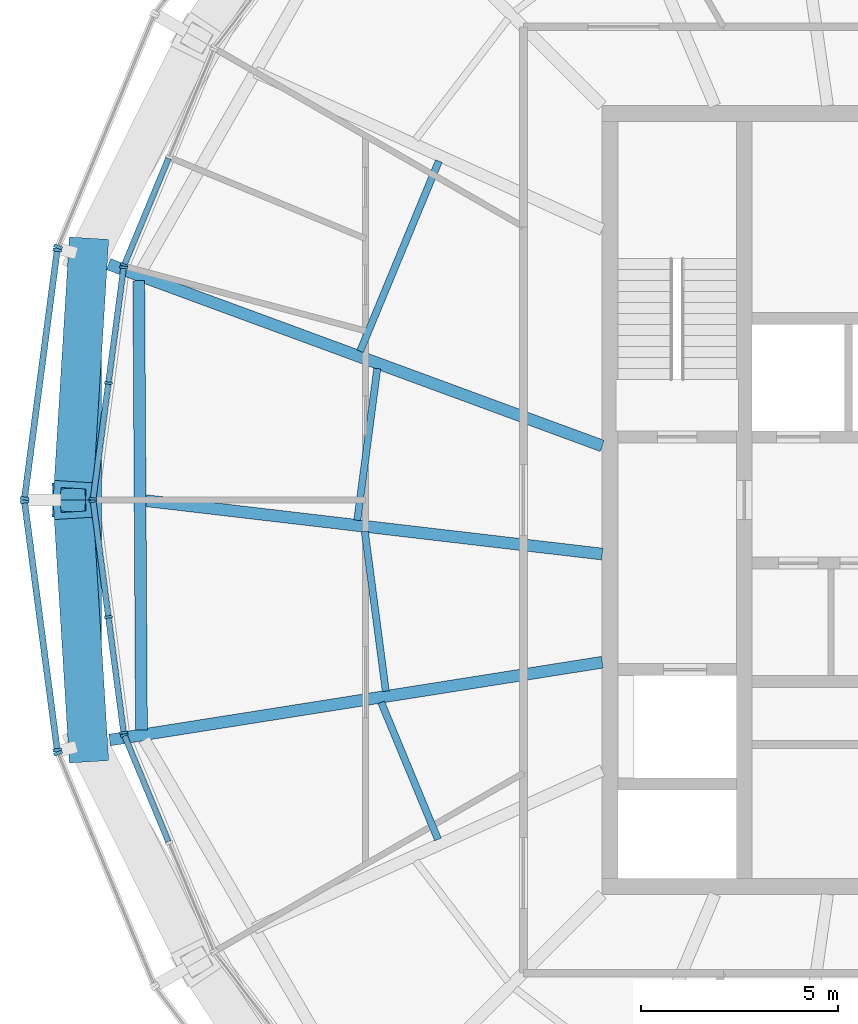
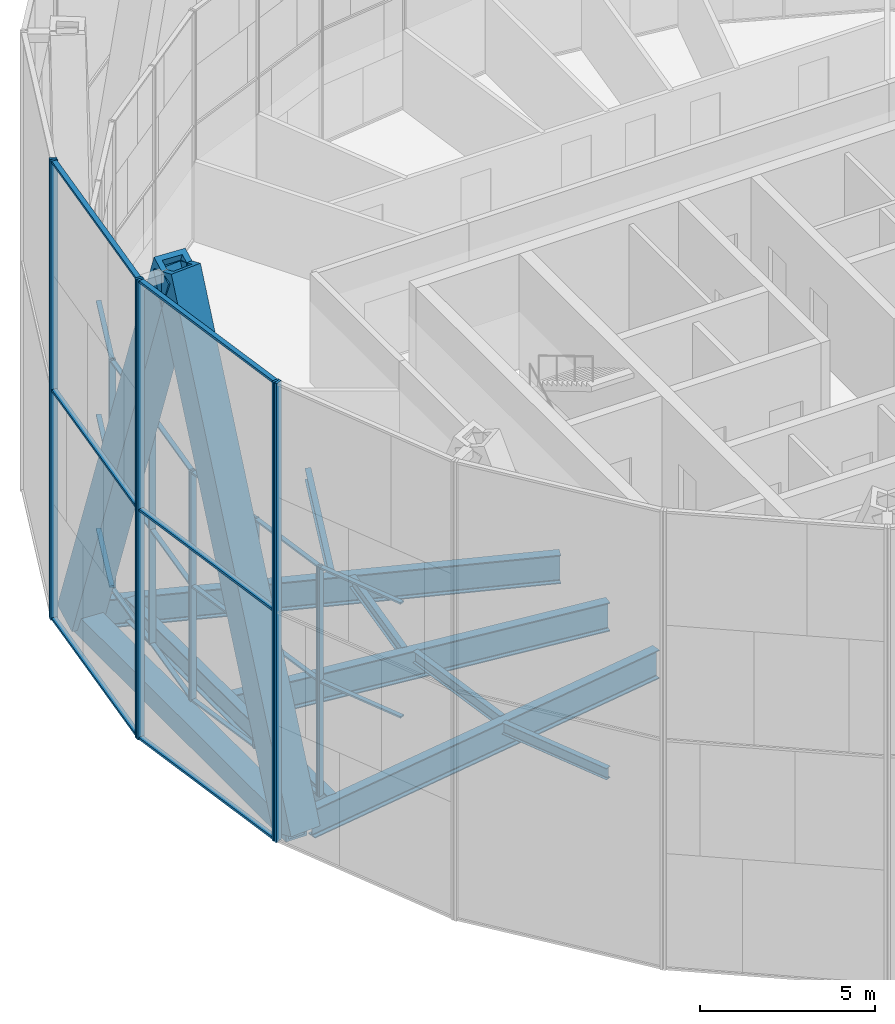
# One storey, part 3 of 23: 39 members, 9 beams, 8 elements without a shape of their own.
"""IFC4 building model written with IfcOpenShell, lengths in metres."""

from ifc_helpers import new_model, si_unit, direction, frame, origin, origin_2d, place, context, subcontext, project, spatial, rectangle, hollow_rectangle, i_section, extrude, material, material_profile, profile_set, type_object, element, aggregate, save


model = new_model("IFC4")

# Units and contexts
model_context = context("Model", 3, precision=1e-05, world=origin(), true_north=direction((0.0, 1.0)))
body_context = subcontext(model_context, "Body", "Model", "MODEL_VIEW")
ifc_project = project(units=[si_unit("LENGTHUNIT", "METRE"), si_unit("AREAUNIT", "SQUARE_METRE"), si_unit("VOLUMEUNIT", "CUBIC_METRE"), si_unit("PLANEANGLEUNIT", "RADIAN"), si_unit("MASSUNIT", "GRAM", prefix="KILO")], contexts=[model_context])

# Site, building, storey
site_placement = place(None, origin())
site = spatial("IfcSite", under=ifc_project, at=site_placement, CompositionType="ELEMENT")
building_placement = place(site_placement, origin())
building = spatial("IfcBuilding", under=site, at=building_placement, Name="Golbaran Civic Tower", CompositionType="ELEMENT")
storey_placement = place(building_placement, frame((0.0, 0.0, 232.0)))
storey = spatial("IfcBuildingStorey", under=building, at=storey_placement, Name="L56", CompositionType="ELEMENT", Elevation=232.0)

# Members
ifc_material_1 = material(Name="Steel S355", Category="steel")
ifc_material_profile_1 = material_profile(ifc_material_1, hollow_rectangle(XDim=1.0, YDim=1.0, WallThickness=0.179931640625, at=origin_2d()), Name="BOX 1000x1000x180")
ifc_profile_set_1 = profile_set([ifc_material_profile_1], Name="Steel S355")
member_type_1 = type_object("IfcMemberType", Name="DIAGRID DIAGONAL BOX 1000x1000x180", PredefinedType="BRACE", material=ifc_profile_set_1)
for number, where, z_axis, x_axis, name in (
    (1, (-23.042236328125, 6.174072265625, -0.7099609375), (-0.022202195339, -0.359917511497, 0.932719919075), (0.998102776097, -0.061569865582, 0.0), "Diagonal D13-05R L56-L60"),
    (2, (-23.042236328125, -6.174072265625, -0.7099609375), (-0.022202195339, 0.359917511497, 0.932719919075), (-0.998102776097, -0.061569865582, 0.0), "Diagonal D13-06L L56-L60"),
):
    element("IfcMember", number, at=place(storey_placement, frame(where, z_axis=z_axis, x_axis=x_axis)), inside=storey, type_object=member_type_1, Name=name, PredefinedType="BRACE", context=body_context, shape_type="SweptSolid", body=[
        extrude(hollow_rectangle(XDim=1.0, YDim=1.0, WallThickness=0.179931640625, at=origin_2d()), origin(), (0.0, 0.0, 1.0), 17.154052734375),
    ])

# Beams
ifc_material_profile_2 = material_profile(ifc_material_1, hollow_rectangle(XDim=0.699951171875, YDim=0.699951171875, WallThickness=0.080078125, at=origin_2d()), Name="BOX 700x700x80")
ifc_profile_set_2 = profile_set([ifc_material_profile_2], Name="Steel S355")
beam_type_1 = type_object("IfcBeamType", Name="DIAGRID RING TIE BOX 700x700x80", PredefinedType="BEAM", material=ifc_profile_set_2)
beam_1_placement = place(storey_placement, frame((-23.042236328125, 6.174072265625, -0.7099609375), z_axis=(0.0, -1.0, 0.0), x_axis=(1.0, 0.0, 0.0)))
element("IfcBeam", 3, at=beam_1_placement, inside=storey, type_object=beam_type_1, Name="Ring tie 165.00 L56", PredefinedType="BEAM", context=body_context, shape_type="SweptSolid", body=[
    extrude(hollow_rectangle(XDim=0.699951171875, YDim=0.699951171875, WallThickness=0.080078125, at=origin_2d()), origin(), (0.0, 0.0, 1.0), 12.34814453125),
])
ifc_material_profile_3 = material_profile(ifc_material_1, i_section(OverallWidth=0.300048828125, OverallDepth=0.800048828125, WebThickness=0.017578125, FlangeThickness=0.032958984375, FilletRadius=0.030029296875, at=origin_2d()), Name="HEB 800")
ifc_profile_set_3 = profile_set([ifc_material_profile_3], Name="Steel S355")
beam_type_2 = type_object("IfcBeamType", Name="EDGE BEAM HEB 800", PredefinedType="BEAM", material=ifc_profile_set_3)
beam_2_placement = place(storey_placement, frame((-21.751953125, 5.560546875, -0.60009765625), z_axis=(0.006002421504, -0.999981985306, 0.0), x_axis=(0.999981985306, 0.006002421504, 0.0)))
element("IfcBeam", 4, at=beam_2_placement, inside=storey, type_object=beam_type_2, Name="Edge beam 165.00 L56", PredefinedType="BEAM", context=body_context, shape_type="SweptSolid", body=[
    extrude(i_section(OverallWidth=0.300048828125, OverallDepth=0.800048828125, WebThickness=0.017578125, FlangeThickness=0.032958984375, FilletRadius=0.030029296875, at=origin_2d()), origin(), (0.0, 0.0, 1.0), 11.388671875),
])
ifc_material_profile_4 = material_profile(ifc_material_1, i_section(OverallWidth=0.179931640625, OverallDepth=0.39990234375, WebThickness=0.008544921875, FlangeThickness=0.013427734375, FilletRadius=0.02099609375, at=origin_2d()), Name="IPE 400")
ifc_profile_set_4 = profile_set([ifc_material_profile_4], Name="Steel S355")
beam_type_3 = type_object("IfcBeamType", Name="FLOOR INFILL BEAM IPE 400", PredefinedType="BEAM", material=ifc_profile_set_4)
beam_3_placement = place(storey_placement, frame((-14.14111328125, 8.59521484375, -0.39990234375), z_axis=(-0.382672489845, -0.923884064976, 0.0), x_axis=(0.923884064976, -0.382672489845, 0.0)))
element("IfcBeam", 5, at=beam_3_placement, inside=storey, type_object=beam_type_3, Name="Infill beam 157.50 L56", PredefinedType="BEAM", context=body_context, shape_type="SweptSolid", body=[
    extrude(i_section(OverallWidth=0.179931640625, OverallDepth=0.39990234375, WebThickness=0.008544921875, FlangeThickness=0.013427734375, FilletRadius=0.02099609375, at=origin_2d()), origin(), (0.0, 0.0, 1.0), 5.221923828125),
])
beam_4_placement = place(storey_placement, frame((-15.7041015625, 3.33349609375, -0.39990234375), z_axis=(-0.130490318339, -0.9914495836, 0.0), x_axis=(0.9914495836, -0.130490318339, 0.0)))
element("IfcBeam", 6, at=beam_4_placement, inside=storey, type_object=beam_type_3, Name="Infill beam 172.50 L56", PredefinedType="BEAM", context=body_context, shape_type="SweptSolid", body=[
    extrude(i_section(OverallWidth=0.179931640625, OverallDepth=0.39990234375, WebThickness=0.008544921875, FlangeThickness=0.013427734375, FilletRadius=0.02099609375, at=origin_2d()), origin(), (0.0, 0.0, 1.0), 3.88037109375),
])
beam_5_placement = place(storey_placement, frame((-16.0205078125, -0.7978515625, -0.39990234375), z_axis=(0.13053951133, -0.991443107789, 0.0), x_axis=(0.991443107789, 0.13053951133, 0.0)))
element("IfcBeam", 7, at=beam_5_placement, inside=storey, type_object=beam_type_3, Name="Infill beam 187.50 L56", PredefinedType="BEAM", context=body_context, shape_type="SweptSolid", body=[
    extrude(i_section(OverallWidth=0.179931640625, OverallDepth=0.39990234375, WebThickness=0.008544921875, FlangeThickness=0.013427734375, FilletRadius=0.02099609375, at=origin_2d()), origin(), (0.0, 0.0, 1.0), 4.08642578125),
])
beam_6_placement = place(storey_placement, frame((-15.604248046875, -5.131103515625, -0.39990234375), z_axis=(0.382684157055, -0.923879232334, 0.0), x_axis=(0.923879232334, 0.382684157055, 0.0)))
element("IfcBeam", 8, at=beam_6_placement, inside=storey, type_object=beam_type_3, Name="Infill beam 202.50 L56", PredefinedType="BEAM", context=body_context, shape_type="SweptSolid", body=[
    extrude(i_section(OverallWidth=0.179931640625, OverallDepth=0.39990234375, WebThickness=0.008544921875, FlangeThickness=0.013427734375, FilletRadius=0.02099609375, at=origin_2d()), origin(), (0.0, 0.0, 1.0), 3.7626953125),
])

# Curtain wall, member
ifc_material_2 = material(Name="Aluminium and glass", Category="aluminium")
curtain_wall_type_1 = type_object("IfcCurtainWallType", Name="INNER SKIN CURTAIN WALL EXECUTIVE", PredefinedType="NOTDEFINED", material=ifc_material_2)
curtain_wall_1_placement = place(storey_placement, origin())
curtain_wall_1 = element("IfcCurtainWall", 9, at=curtain_wall_1_placement, inside=storey, type_object=curtain_wall_type_1, Name="Inner skin L56 facet 11 CW2", ObjectType="INNER SKIN", PredefinedType="USERDEFINED")
ifc_material_3 = material(Name="Aluminium", Category="aluminium")
ifc_material_profile_5 = material_profile(ifc_material_3, rectangle(XDim=0.199951171875, YDim=0.06005859375, at=origin_2d()), Name="INNER SKIN CURTAIN WALL EXECUTIVE MULLION")
ifc_profile_set_5 = profile_set([ifc_material_profile_5], Name="Aluminium")
member_type_2 = type_object("IfcMemberType", Name="INNER SKIN CURTAIN WALL EXECUTIVE MULLION", PredefinedType="MULLION", material=ifc_profile_set_5)
member_1_placement = place(storey_placement, frame((-22.120849609375, 5.9580078125, 0.0), z_axis=(0.0, 0.0, 1.0), x_axis=(0.923879532511, -0.382683432365, 0.0)))
member_1 = element("IfcMember", 10, at=member_1_placement, type_object=member_type_2, Name="CW2 mullion 3", PredefinedType="MULLION", context=body_context, shape_type="SweptSolid", body=[
    extrude(rectangle(XDim=0.199951171875, YDim=0.06005859375, at=origin_2d()), origin(), (0.0, 0.0, 1.0), 8.0),
])

# Curtain wall, members
curtain_wall_2_placement = place(storey_placement, origin())
curtain_wall_2 = element("IfcCurtainWall", 11, at=curtain_wall_2_placement, inside=storey, type_object=curtain_wall_type_1, Name="Inner skin L56 facet 12 CW2", ObjectType="INNER SKIN", PredefinedType="USERDEFINED")
member_2_placement = place(storey_placement, frame((-22.13623046875, 5.900634765625, 0.0), z_axis=(0.0, 0.0, 1.0), x_axis=(0.991444861378, -0.130526192185, 0.0)))
member_2 = element("IfcMember", 12, at=member_2_placement, type_object=member_type_2, Name="CW2 mullion 1", PredefinedType="MULLION", context=body_context, shape_type="SweptSolid", body=[
    extrude(rectangle(XDim=0.199951171875, YDim=0.06005859375, at=origin_2d()), origin(), (0.0, 0.0, 1.0), 8.0),
])
member_3_placement = place(storey_placement, frame((-22.522705078125, 2.965087890625, 0.0), z_axis=(0.0, 0.0, 1.0), x_axis=(0.991444861378, -0.130526192185, 0.0)))
member_3 = element("IfcMember", 13, at=member_3_placement, type_object=member_type_2, Name="CW2 mullion 2", PredefinedType="MULLION", context=body_context, shape_type="SweptSolid", body=[
    extrude(rectangle(XDim=0.199951171875, YDim=0.06005859375, at=origin_2d()), origin(), (0.0, 0.0, 1.0), 8.0),
])
member_4_placement = place(storey_placement, frame((-22.9091796875, 0.02978515625, 0.0), z_axis=(0.0, 0.0, 1.0), x_axis=(0.991444861378, -0.130526192185, 0.0)))
member_4 = element("IfcMember", 14, at=member_4_placement, type_object=member_type_2, Name="CW2 mullion 3", PredefinedType="MULLION", context=body_context, shape_type="SweptSolid", body=[
    extrude(rectangle(XDim=0.199951171875, YDim=0.06005859375, at=origin_2d()), origin(), (0.0, 0.0, 1.0), 8.0),
])

curtain_wall_3_placement = place(storey_placement, origin())
curtain_wall_3 = element("IfcCurtainWall", 15, at=curtain_wall_3_placement, inside=storey, type_object=curtain_wall_type_1, Name="Inner skin L56 facet 13 CW2", ObjectType="INNER SKIN", PredefinedType="USERDEFINED")
member_5_placement = place(storey_placement, frame((-22.9091796875, -0.02978515625, 0.0), z_axis=(0.0, 0.0, 1.0), x_axis=(0.991444861378, 0.130526192185, 0.0)))
member_5 = element("IfcMember", 16, at=member_5_placement, type_object=member_type_2, Name="CW2 mullion 1", PredefinedType="MULLION", context=body_context, shape_type="SweptSolid", body=[
    extrude(rectangle(XDim=0.199951171875, YDim=0.06005859375, at=origin_2d()), origin(), (0.0, 0.0, 1.0), 8.0),
])
member_6_placement = place(storey_placement, frame((-22.522705078125, -2.965087890625, 0.0), z_axis=(0.0, 0.0, 1.0), x_axis=(0.991444861378, 0.130526192185, 0.0)))
member_6 = element("IfcMember", 17, at=member_6_placement, type_object=member_type_2, Name="CW2 mullion 2", PredefinedType="MULLION", context=body_context, shape_type="SweptSolid", body=[
    extrude(rectangle(XDim=0.199951171875, YDim=0.06005859375, at=origin_2d()), origin(), (0.0, 0.0, 1.0), 8.0),
])
member_7_placement = place(storey_placement, frame((-22.13623046875, -5.900634765625, 0.0), z_axis=(0.0, 0.0, 1.0), x_axis=(0.991444861378, 0.130526192185, 0.0)))
member_7 = element("IfcMember", 18, at=member_7_placement, type_object=member_type_2, Name="CW2 mullion 3", PredefinedType="MULLION", context=body_context, shape_type="SweptSolid", body=[
    extrude(rectangle(XDim=0.199951171875, YDim=0.06005859375, at=origin_2d()), origin(), (0.0, 0.0, 1.0), 8.0),
])

# Curtain wall, member
curtain_wall_4_placement = place(storey_placement, origin())
curtain_wall_4 = element("IfcCurtainWall", 19, at=curtain_wall_4_placement, inside=storey, type_object=curtain_wall_type_1, Name="Inner skin L56 facet 14 CW2", ObjectType="INNER SKIN", PredefinedType="USERDEFINED")
member_8_placement = place(storey_placement, frame((-22.120849609375, -5.9580078125, 0.0), z_axis=(0.0, 0.0, 1.0), x_axis=(0.923879532511, 0.382683432365, 0.0)))
member_8 = element("IfcMember", 20, at=member_8_placement, type_object=member_type_2, Name="CW2 mullion 1", PredefinedType="MULLION", context=body_context, shape_type="SweptSolid", body=[
    extrude(rectangle(XDim=0.199951171875, YDim=0.06005859375, at=origin_2d()), origin(), (0.0, 0.0, 1.0), 8.0),
])

# Member
ifc_material_profile_6 = material_profile(ifc_material_3, rectangle(XDim=0.14990234375, YDim=0.06005859375, at=origin_2d()), Name="INNER SKIN CURTAIN WALL EXECUTIVE TRANSOM")
ifc_profile_set_6 = profile_set([ifc_material_profile_6], Name="Aluminium")
member_type_3 = type_object("IfcMemberType", Name="INNER SKIN CURTAIN WALL EXECUTIVE TRANSOM", PredefinedType="USERDEFINED", material=ifc_profile_set_6)
member_9_placement = place(storey_placement, frame((-20.999267578125, 8.665771484375, 0.030029296875), z_axis=(-0.382696199963, -0.923874243896, 0.0), x_axis=(0.923874243896, -0.382696199963, 0.0)))
member_9 = element("IfcMember", 21, at=member_9_placement, type_object=member_type_3, Name="CW2 transom 2.1", ObjectType="TRANSOM", PredefinedType="USERDEFINED", context=body_context, shape_type="SweptSolid", body=[
    extrude(rectangle(XDim=0.14990234375, YDim=0.06005859375, at=origin_2d()), origin(), (0.0, 0.0, 1.0), 2.900634765625),
])

member_10_placement = place(storey_placement, frame((-20.999267578125, 8.665771484375, 4.0), z_axis=(-0.382696199963, -0.923874243896, 0.0), x_axis=(0.923874243896, -0.382696199963, 0.0)))
member_10 = element("IfcMember", 22, at=member_10_placement, type_object=member_type_3, Name="CW2 transom 2.2", ObjectType="TRANSOM", PredefinedType="USERDEFINED", context=body_context, shape_type="SweptSolid", body=[
    extrude(rectangle(XDim=0.14990234375, YDim=0.06005859375, at=origin_2d()), origin(), (0.0, 0.0, 1.0), 2.900634765625),
])

member_11_placement = place(storey_placement, frame((-20.999267578125, 8.665771484375, 7.969970703125), z_axis=(-0.382696199963, -0.923874243896, 0.0), x_axis=(0.923874243896, -0.382696199963, 0.0)))
member_11 = element("IfcMember", 23, at=member_11_placement, type_object=member_type_3, Name="CW2 transom 2.3", ObjectType="TRANSOM", PredefinedType="USERDEFINED", context=body_context, shape_type="SweptSolid", body=[
    extrude(rectangle(XDim=0.14990234375, YDim=0.06005859375, at=origin_2d()), origin(), (0.0, 0.0, 1.0), 2.900634765625),
])

aggregate(curtain_wall_1, [member_1, member_9, member_10, member_11])

member_12_placement = place(storey_placement, frame((-22.14013671875, 5.870849609375, 0.030029296875), z_axis=(-0.130537243072, -0.991443406439, 0.0), x_axis=(0.991443406439, -0.130537243072, 0.0)))
member_12 = element("IfcMember", 24, at=member_12_placement, type_object=member_type_3, Name="CW2 transom 1.1", ObjectType="TRANSOM", PredefinedType="USERDEFINED", context=body_context, shape_type="SweptSolid", body=[
    extrude(rectangle(XDim=0.14990234375, YDim=0.06005859375, at=origin_2d()), origin(), (0.0, 0.0, 1.0), 2.90087890625),
])

member_13_placement = place(storey_placement, frame((-22.14013671875, 5.870849609375, 4.0), z_axis=(-0.130537243072, -0.991443406439, 0.0), x_axis=(0.991443406439, -0.130537243072, 0.0)))
member_13 = element("IfcMember", 25, at=member_13_placement, type_object=member_type_3, Name="CW2 transom 1.2", ObjectType="TRANSOM", PredefinedType="USERDEFINED", context=body_context, shape_type="SweptSolid", body=[
    extrude(rectangle(XDim=0.14990234375, YDim=0.06005859375, at=origin_2d()), origin(), (0.0, 0.0, 1.0), 2.90087890625),
])

member_14_placement = place(storey_placement, frame((-22.14013671875, 5.870849609375, 7.969970703125), z_axis=(-0.130537243072, -0.991443406439, 0.0), x_axis=(0.991443406439, -0.130537243072, 0.0)))
member_14 = element("IfcMember", 26, at=member_14_placement, type_object=member_type_3, Name="CW2 transom 1.3", ObjectType="TRANSOM", PredefinedType="USERDEFINED", context=body_context, shape_type="SweptSolid", body=[
    extrude(rectangle(XDim=0.14990234375, YDim=0.06005859375, at=origin_2d()), origin(), (0.0, 0.0, 1.0), 2.90087890625),
])

member_15_placement = place(storey_placement, frame((-22.526611328125, 2.935302734375, 0.030029296875), z_axis=(-0.130548136409, -0.99144197212, 0.0), x_axis=(0.99144197212, -0.130548136409, 0.0)))
member_15 = element("IfcMember", 27, at=member_15_placement, type_object=member_type_3, Name="CW2 transom 2.1", ObjectType="TRANSOM", PredefinedType="USERDEFINED", context=body_context, shape_type="SweptSolid", body=[
    extrude(rectangle(XDim=0.14990234375, YDim=0.06005859375, at=origin_2d()), origin(), (0.0, 0.0, 1.0), 2.900634765625),
])

member_16_placement = place(storey_placement, frame((-22.526611328125, 2.935302734375, 4.0), z_axis=(-0.130548136409, -0.99144197212, 0.0), x_axis=(0.99144197212, -0.130548136409, 0.0)))
member_16 = element("IfcMember", 28, at=member_16_placement, type_object=member_type_3, Name="CW2 transom 2.2", ObjectType="TRANSOM", PredefinedType="USERDEFINED", context=body_context, shape_type="SweptSolid", body=[
    extrude(rectangle(XDim=0.14990234375, YDim=0.06005859375, at=origin_2d()), origin(), (0.0, 0.0, 1.0), 2.900634765625),
])

member_17_placement = place(storey_placement, frame((-22.526611328125, 2.935302734375, 7.969970703125), z_axis=(-0.130548136409, -0.99144197212, 0.0), x_axis=(0.99144197212, -0.130548136409, 0.0)))
member_17 = element("IfcMember", 29, at=member_17_placement, type_object=member_type_3, Name="CW2 transom 2.3", ObjectType="TRANSOM", PredefinedType="USERDEFINED", context=body_context, shape_type="SweptSolid", body=[
    extrude(rectangle(XDim=0.14990234375, YDim=0.06005859375, at=origin_2d()), origin(), (0.0, 0.0, 1.0), 2.900634765625),
])

aggregate(curtain_wall_2, [member_2, member_3, member_4, member_12, member_13, member_14, member_15, member_16, member_17])

member_18_placement = place(storey_placement, frame((-22.9052734375, -0.0595703125, 0.030029296875), z_axis=(0.130548136409, -0.99144197212, 0.0), x_axis=(0.99144197212, 0.130548136409, 0.0)))
member_18 = element("IfcMember", 30, at=member_18_placement, type_object=member_type_3, Name="CW2 transom 1.1", ObjectType="TRANSOM", PredefinedType="USERDEFINED", context=body_context, shape_type="SweptSolid", body=[
    extrude(rectangle(XDim=0.14990234375, YDim=0.06005859375, at=origin_2d()), origin(), (0.0, 0.0, 1.0), 2.900634765625),
])

member_19_placement = place(storey_placement, frame((-22.9052734375, -0.0595703125, 4.0), z_axis=(0.130548136409, -0.99144197212, 0.0), x_axis=(0.99144197212, 0.130548136409, 0.0)))
member_19 = element("IfcMember", 31, at=member_19_placement, type_object=member_type_3, Name="CW2 transom 1.2", ObjectType="TRANSOM", PredefinedType="USERDEFINED", context=body_context, shape_type="SweptSolid", body=[
    extrude(rectangle(XDim=0.14990234375, YDim=0.06005859375, at=origin_2d()), origin(), (0.0, 0.0, 1.0), 2.900634765625),
])

member_20_placement = place(storey_placement, frame((-22.9052734375, -0.0595703125, 7.969970703125), z_axis=(0.130548136409, -0.99144197212, 0.0), x_axis=(0.99144197212, 0.130548136409, 0.0)))
member_20 = element("IfcMember", 32, at=member_20_placement, type_object=member_type_3, Name="CW2 transom 1.3", ObjectType="TRANSOM", PredefinedType="USERDEFINED", context=body_context, shape_type="SweptSolid", body=[
    extrude(rectangle(XDim=0.14990234375, YDim=0.06005859375, at=origin_2d()), origin(), (0.0, 0.0, 1.0), 2.900634765625),
])

member_21_placement = place(storey_placement, frame((-22.518798828125, -2.994873046875, 0.030029296875), z_axis=(0.130537243072, -0.991443406439, 0.0), x_axis=(0.991443406439, 0.130537243072, 0.0)))
member_21 = element("IfcMember", 33, at=member_21_placement, type_object=member_type_3, Name="CW2 transom 2.1", ObjectType="TRANSOM", PredefinedType="USERDEFINED", context=body_context, shape_type="SweptSolid", body=[
    extrude(rectangle(XDim=0.14990234375, YDim=0.06005859375, at=origin_2d()), origin(), (0.0, 0.0, 1.0), 2.90087890625),
])

member_22_placement = place(storey_placement, frame((-22.518798828125, -2.994873046875, 4.0), z_axis=(0.130537243072, -0.991443406439, 0.0), x_axis=(0.991443406439, 0.130537243072, 0.0)))
member_22 = element("IfcMember", 34, at=member_22_placement, type_object=member_type_3, Name="CW2 transom 2.2", ObjectType="TRANSOM", PredefinedType="USERDEFINED", context=body_context, shape_type="SweptSolid", body=[
    extrude(rectangle(XDim=0.14990234375, YDim=0.06005859375, at=origin_2d()), origin(), (0.0, 0.0, 1.0), 2.90087890625),
])

member_23_placement = place(storey_placement, frame((-22.518798828125, -2.994873046875, 7.969970703125), z_axis=(0.130537243072, -0.991443406439, 0.0), x_axis=(0.991443406439, 0.130537243072, 0.0)))
member_23 = element("IfcMember", 35, at=member_23_placement, type_object=member_type_3, Name="CW2 transom 2.3", ObjectType="TRANSOM", PredefinedType="USERDEFINED", context=body_context, shape_type="SweptSolid", body=[
    extrude(rectangle(XDim=0.14990234375, YDim=0.06005859375, at=origin_2d()), origin(), (0.0, 0.0, 1.0), 2.90087890625),
])

aggregate(curtain_wall_3, [member_5, member_6, member_7, member_18, member_19, member_20, member_21, member_22, member_23])

member_24_placement = place(storey_placement, frame((-22.109375, -5.98583984375, 4.0), z_axis=(0.382696199963, -0.923874243896, 0.0), x_axis=(0.923874243896, 0.382696199963, 0.0)))
member_24 = element("IfcMember", 36, at=member_24_placement, type_object=member_type_3, Name="CW2 transom 1.2", ObjectType="TRANSOM", PredefinedType="USERDEFINED", context=body_context, shape_type="SweptSolid", body=[
    extrude(rectangle(XDim=0.14990234375, YDim=0.06005859375, at=origin_2d()), origin(), (0.0, 0.0, 1.0), 2.900634765625),
])

member_25_placement = place(storey_placement, frame((-22.109375, -5.98583984375, 7.969970703125), z_axis=(0.382696199963, -0.923874243896, 0.0), x_axis=(0.923874243896, 0.382696199963, 0.0)))
member_25 = element("IfcMember", 37, at=member_25_placement, type_object=member_type_3, Name="CW2 transom 1.3", ObjectType="TRANSOM", PredefinedType="USERDEFINED", context=body_context, shape_type="SweptSolid", body=[
    extrude(rectangle(XDim=0.14990234375, YDim=0.06005859375, at=origin_2d()), origin(), (0.0, 0.0, 1.0), 2.900634765625),
])

aggregate(curtain_wall_4, [member_8, member_24, member_25])

# Curtain wall, member
curtain_wall_type_2 = type_object("IfcCurtainWallType", Name="OUTER SKIN TERRACOTTA SCREEN", PredefinedType="NOTDEFINED", material=ifc_material_2)
curtain_wall_5_placement = place(storey_placement, origin())
curtain_wall_5 = element("IfcCurtainWall", 38, at=curtain_wall_5_placement, inside=storey, type_object=curtain_wall_type_2, Name="Outer skin L56 facet 11 CW3", ObjectType="OUTER SKIN", PredefinedType="USERDEFINED")
ifc_material_profile_7 = material_profile(ifc_material_3, rectangle(XDim=0.219970703125, YDim=0.080078125, at=origin_2d()), Name="OUTER SKIN TERRACOTTA SCREEN MULLION")
ifc_profile_set_7 = profile_set([ifc_material_profile_7], Name="Aluminium")
member_type_4 = type_object("IfcMemberType", Name="OUTER SKIN TERRACOTTA SCREEN MULLION", PredefinedType="MULLION", material=ifc_profile_set_7)
member_26_placement = place(storey_placement, frame((-23.799560546875, 6.418212890625, -0.7099609375), z_axis=(0.0, 0.0, 1.0), x_axis=(0.923879532505, -0.382683432381, 0.0)))
member_26 = element("IfcMember", 39, at=member_26_placement, type_object=member_type_4, Name="CW3 mullion 2", PredefinedType="MULLION", context=body_context, shape_type="SweptSolid", body=[
    extrude(rectangle(XDim=0.219970703125, YDim=0.080078125, at=origin_2d()), origin(), (0.0, 0.0, 1.0), 16.0),
])
aggregate(curtain_wall_5, [member_26])

# Curtain wall, members
curtain_wall_6_placement = place(storey_placement, origin())
curtain_wall_6 = element("IfcCurtainWall", 40, at=curtain_wall_6_placement, inside=storey, type_object=curtain_wall_type_2, Name="Outer skin L56 facet 12 CW3", ObjectType="OUTER SKIN", PredefinedType="USERDEFINED")
member_27_placement = place(storey_placement, frame((-23.820068359375, 6.341552734375, -0.7099609375), z_axis=(0.0, 0.0, 1.0), x_axis=(0.991444861372, -0.130526192237, 0.0)))
member_27 = element("IfcMember", 41, at=member_27_placement, type_object=member_type_4, Name="CW3 mullion 1", PredefinedType="MULLION", context=body_context, shape_type="SweptSolid", body=[
    extrude(rectangle(XDim=0.219970703125, YDim=0.080078125, at=origin_2d()), origin(), (0.0, 0.0, 1.0), 16.0),
])
member_28_placement = place(storey_placement, frame((-24.649658203125, 0.03955078125, -0.7099609375), z_axis=(0.0, 0.0, 1.0), x_axis=(0.991444861372, -0.130526192237, 0.0)))
member_28 = element("IfcMember", 42, at=member_28_placement, type_object=member_type_4, Name="CW3 mullion 2", PredefinedType="MULLION", context=body_context, shape_type="SweptSolid", body=[
    extrude(rectangle(XDim=0.219970703125, YDim=0.080078125, at=origin_2d()), origin(), (0.0, 0.0, 1.0), 16.0),
])

curtain_wall_7_placement = place(storey_placement, origin())
curtain_wall_7 = element("IfcCurtainWall", 43, at=curtain_wall_7_placement, inside=storey, type_object=curtain_wall_type_2, Name="Outer skin L56 facet 13 CW3", ObjectType="OUTER SKIN", PredefinedType="USERDEFINED")
member_29_placement = place(storey_placement, frame((-24.649658203125, -0.03955078125, -0.7099609375), z_axis=(0.0, 0.0, 1.0), x_axis=(0.991444861372, 0.130526192237, 0.0)))
member_29 = element("IfcMember", 44, at=member_29_placement, type_object=member_type_4, Name="CW3 mullion 1", PredefinedType="MULLION", context=body_context, shape_type="SweptSolid", body=[
    extrude(rectangle(XDim=0.219970703125, YDim=0.080078125, at=origin_2d()), origin(), (0.0, 0.0, 1.0), 16.0),
])
member_30_placement = place(storey_placement, frame((-23.820068359375, -6.341552734375, -0.7099609375), z_axis=(0.0, 0.0, 1.0), x_axis=(0.991444861372, 0.130526192237, 0.0)))
member_30 = element("IfcMember", 45, at=member_30_placement, type_object=member_type_4, Name="CW3 mullion 2", PredefinedType="MULLION", context=body_context, shape_type="SweptSolid", body=[
    extrude(rectangle(XDim=0.219970703125, YDim=0.080078125, at=origin_2d()), origin(), (0.0, 0.0, 1.0), 16.0),
])

# Curtain wall, member
curtain_wall_8_placement = place(storey_placement, origin())
curtain_wall_8 = element("IfcCurtainWall", 46, at=curtain_wall_8_placement, inside=storey, type_object=curtain_wall_type_2, Name="Outer skin L56 facet 14 CW3", ObjectType="OUTER SKIN", PredefinedType="USERDEFINED")
member_31_placement = place(storey_placement, frame((-23.799560546875, -6.418212890625, -0.7099609375), z_axis=(0.0, 0.0, 1.0), x_axis=(0.923879532505, 0.382683432381, 0.0)))
member_31 = element("IfcMember", 47, at=member_31_placement, type_object=member_type_4, Name="CW3 mullion 1", PredefinedType="MULLION", context=body_context, shape_type="SweptSolid", body=[
    extrude(rectangle(XDim=0.219970703125, YDim=0.080078125, at=origin_2d()), origin(), (0.0, 0.0, 1.0), 16.0),
])
aggregate(curtain_wall_8, [member_31])

# Member
ifc_material_profile_8 = material_profile(ifc_material_3, rectangle(XDim=0.159912109375, YDim=0.080078125, at=origin_2d()), Name="OUTER SKIN TERRACOTTA SCREEN TRANSOM")
ifc_profile_set_8 = profile_set([ifc_material_profile_8], Name="Aluminium")
member_type_5 = type_object("IfcMemberType", Name="OUTER SKIN TERRACOTTA SCREEN TRANSOM", PredefinedType="USERDEFINED", material=ifc_profile_set_8)
member_32_placement = place(storey_placement, frame((-23.825439453125, 6.3017578125, -0.669921875), z_axis=(-0.130509856972, -0.991447011813, 0.0), x_axis=(0.991447011813, -0.130509856972, 0.0)))
member_32 = element("IfcMember", 48, at=member_32_placement, type_object=member_type_5, Name="CW3 transom 1.1", ObjectType="TRANSOM", PredefinedType="USERDEFINED", context=body_context, shape_type="SweptSolid", body=[
    extrude(rectangle(XDim=0.159912109375, YDim=0.080078125, at=origin_2d()), origin(), (0.0, 0.0, 1.0), 6.276123046875),
])

member_33_placement = place(storey_placement, frame((-23.825439453125, 6.3017578125, 7.2900390625), z_axis=(-0.130509856972, -0.991447011813, 0.0), x_axis=(0.991447011813, -0.130509856972, 0.0)))
member_33 = element("IfcMember", 49, at=member_33_placement, type_object=member_type_5, Name="CW3 transom 1.2", ObjectType="TRANSOM", PredefinedType="USERDEFINED", context=body_context, shape_type="SweptSolid", body=[
    extrude(rectangle(XDim=0.159912109375, YDim=0.080078125, at=origin_2d()), origin(), (0.0, 0.0, 1.0), 6.276123046875),
])

member_34_placement = place(storey_placement, frame((-23.825439453125, 6.3017578125, 15.25), z_axis=(-0.130509856972, -0.991447011813, 0.0), x_axis=(0.991447011813, -0.130509856972, 0.0)))
member_34 = element("IfcMember", 50, at=member_34_placement, type_object=member_type_5, Name="CW3 transom 1.3", ObjectType="TRANSOM", PredefinedType="USERDEFINED", context=body_context, shape_type="SweptSolid", body=[
    extrude(rectangle(XDim=0.159912109375, YDim=0.080078125, at=origin_2d()), origin(), (0.0, 0.0, 1.0), 6.276123046875),
])

aggregate(curtain_wall_6, [member_27, member_28, member_32, member_33, member_34])

member_35_placement = place(storey_placement, frame((-24.64453125, -0.079345703125, -0.669921875), z_axis=(0.130509856972, -0.991447011813, 0.0), x_axis=(0.991447011813, 0.130509856972, 0.0)))
member_35 = element("IfcMember", 51, at=member_35_placement, type_object=member_type_5, Name="CW3 transom 1.1", ObjectType="TRANSOM", PredefinedType="USERDEFINED", context=body_context, shape_type="SweptSolid", body=[
    extrude(rectangle(XDim=0.159912109375, YDim=0.080078125, at=origin_2d()), origin(), (0.0, 0.0, 1.0), 6.276123046875),
])

member_36_placement = place(storey_placement, frame((-24.64453125, -0.079345703125, 7.2900390625), z_axis=(0.130509856972, -0.991447011813, 0.0), x_axis=(0.991447011813, 0.130509856972, 0.0)))
member_36 = element("IfcMember", 52, at=member_36_placement, type_object=member_type_5, Name="CW3 transom 1.2", ObjectType="TRANSOM", PredefinedType="USERDEFINED", context=body_context, shape_type="SweptSolid", body=[
    extrude(rectangle(XDim=0.159912109375, YDim=0.080078125, at=origin_2d()), origin(), (0.0, 0.0, 1.0), 6.276123046875),
])

member_37_placement = place(storey_placement, frame((-24.64453125, -0.079345703125, 15.25), z_axis=(0.130509856972, -0.991447011813, 0.0), x_axis=(0.991447011813, 0.130509856972, 0.0)))
member_37 = element("IfcMember", 53, at=member_37_placement, type_object=member_type_5, Name="CW3 transom 1.3", ObjectType="TRANSOM", PredefinedType="USERDEFINED", context=body_context, shape_type="SweptSolid", body=[
    extrude(rectangle(XDim=0.159912109375, YDim=0.080078125, at=origin_2d()), origin(), (0.0, 0.0, 1.0), 6.276123046875),
])

aggregate(curtain_wall_7, [member_29, member_30, member_35, member_36, member_37])

# Beams
ifc_material_profile_9 = material_profile(ifc_material_1, i_section(OverallWidth=0.300048828125, OverallDepth=1.0, WebThickness=0.01904296875, FlangeThickness=0.035888671875, FilletRadius=0.030029296875, at=origin_2d()), Name="HEB 1000")
ifc_profile_set_9 = profile_set([ifc_material_profile_9], Name="Steel S355")
beam_type_4 = type_object("IfcBeamType", Name="RADIAL FLOOR BEAM HEB 1000", PredefinedType="BEAM", material=ifc_profile_set_9)
beam_7_placement = place(storey_placement, frame((-10.0, 1.371337890625, -0.7099609375), z_axis=(-0.938394344891, 0.345566279425, 0.0), x_axis=(-0.345566279425, -0.938394344891, 0.0)))
element("IfcBeam", 54, at=beam_7_placement, inside=storey, type_object=beam_type_4, Name="Radial beam 165.00 L56", PredefinedType="BEAM", context=body_context, shape_type="SweptSolid", body=[
    extrude(i_section(OverallWidth=0.300048828125, OverallDepth=1.0, WebThickness=0.01904296875, FlangeThickness=0.035888671875, FilletRadius=0.030029296875, at=origin_2d()), origin(), (0.0, 0.0, 1.0), 13.341552734375),
])
beam_8_placement = place(storey_placement, frame((-10.0, -4.1142578125, -0.7099609375), z_axis=(-0.98775764243, -0.155996281436, 0.0), x_axis=(0.155996281436, -0.98775764243, 0.0)))
element("IfcBeam", 55, at=beam_8_placement, inside=storey, type_object=beam_type_4, Name="Radial beam 195.00 L56", PredefinedType="BEAM", context=body_context, shape_type="SweptSolid", body=[
    extrude(i_section(OverallWidth=0.300048828125, OverallDepth=1.0, WebThickness=0.01904296875, FlangeThickness=0.035888671875, FilletRadius=0.030029296875, at=origin_2d()), origin(), (0.0, 0.0, 1.0), 12.6455078125),
])
ifc_material_profile_10 = material_profile(ifc_material_1, i_section(OverallWidth=0.300048828125, OverallDepth=1.0, WebThickness=0.01904296875, FlangeThickness=0.035888671875, FilletRadius=0.030029296875, at=origin_2d()), Name="HEB 1000")
ifc_profile_set_10 = profile_set([ifc_material_profile_10], Name="Steel S355")
beam_type_5 = type_object("IfcBeamType", Name="SECONDARY FLOOR BEAM HEB 1000", PredefinedType="BEAM", material=ifc_profile_set_10)
beam_9_placement = place(storey_placement, frame((-10.0, -1.371337890625, -0.7099609375), z_axis=(-0.993222310608, 0.116230123934, 0.0), x_axis=(-0.116230123934, -0.993222310608, 0.0)))
element("IfcBeam", 56, at=beam_9_placement, inside=storey, type_object=beam_type_5, Name="Secondary beam 180.00 L56", PredefinedType="BEAM", context=body_context, shape_type="SweptSolid", body=[
    extrude(i_section(OverallWidth=0.300048828125, OverallDepth=1.0, WebThickness=0.01904296875, FlangeThickness=0.035888671875, FilletRadius=0.030029296875, at=origin_2d()), origin(), (0.0, 0.0, 1.0), 11.798583984375),
])

save(model, "model.ifc")
